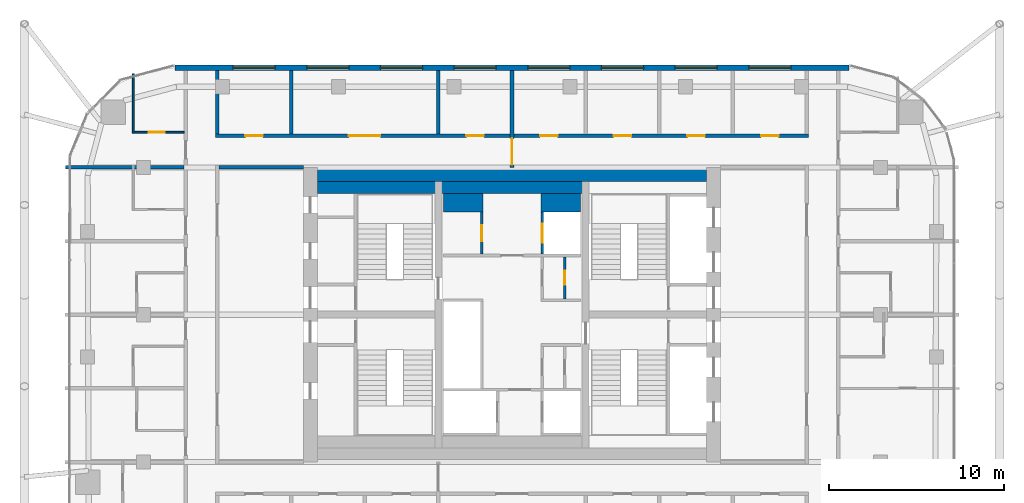
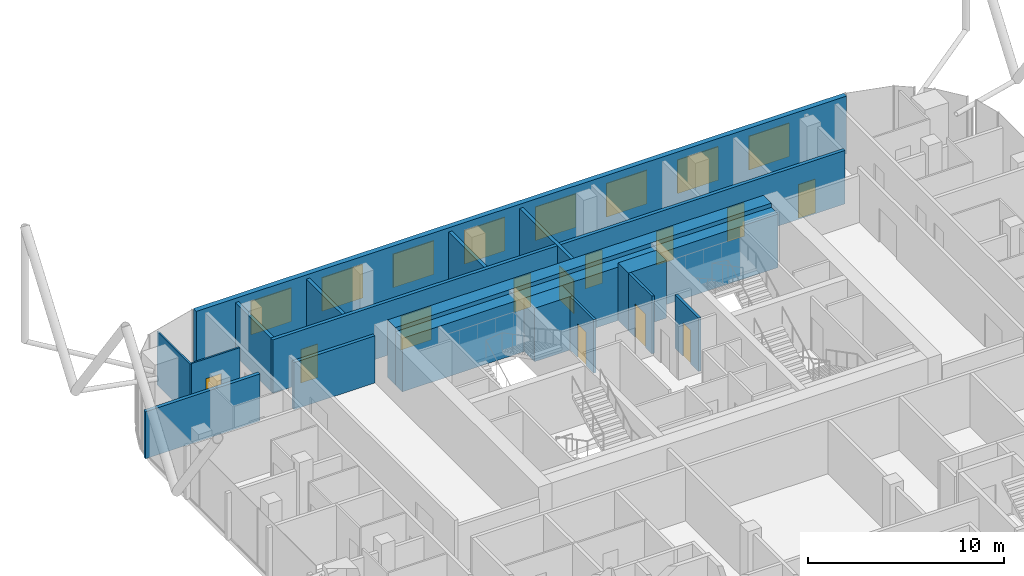
# One storey, part 28 of 31: 17 walls, 12 doors, 8 windows, 20 openings.
"""IFC4 building model written with IfcOpenShell, lengths in metres."""

import ifcopenshell
import ifcopenshell.guid

model = None  # the IFC model being written
_history = None  # IfcOwnerHistory: only IFC2X3 demands one
_inside = {}  # id of a spatial element -> (the spatial element, [elements in it])
_under = {}  # id of a project, library or spatial element -> (it, [spatial elements below it])
_declared = {}  # id of a project -> (the project, [libraries it declares])
_typed = {}  # id of a type object -> (the type object, [elements of that type])
_made_of = {}  # id of a material, layer set ... -> (it, [elements and type objects made of it])


def new_model(schema):
    """Start an empty IFC model of exactly this schema.

    Asked for "IFC4X3", IfcOpenShell would pick the latest addendum, in which some entities
    have other attributes; the version numbers below select the first issue.
    IFC2X3 requires an IfcOwnerHistory on every rooted entity: one is made here for all.
    """
    global model, _history
    if schema == "IFC4X3":
        model = ifcopenshell.file(schema_version=(4, 3, 0, 0))
    else:
        model = ifcopenshell.file(schema=schema)
    _inside.clear()
    _under.clear()
    _declared.clear()
    _typed.clear()
    _made_of.clear()
    _history = None
    if model.schema == "IFC2X3":
        org = make("IfcOrganization", Name="unknown")
        user = make(
            "IfcPersonAndOrganization",
            ThePerson=make("IfcPerson", FamilyName="unknown"),
            TheOrganization=org,
        )
        app = make(
            "IfcApplication",
            ApplicationDeveloper=org,
            Version="unknown",
            ApplicationFullName="unknown",
            ApplicationIdentifier="unknown",
        )
        _history = make(
            "IfcOwnerHistory",
            OwningUser=user,
            OwningApplication=app,
            ChangeAction="ADDED",
            CreationDate=0,
        )
    return model


def make(cls, **values):
    """One entity of the class cls with the attributes given. An attribute that is None is left unset."""
    return model.create_entity(
        cls, **{name: value for name, value in values.items() if value is not None}
    )


def rooted(cls, **values):
    """An entity with a GlobalId (a new one), such as an element, a storey or a relation."""
    return make(cls, GlobalId=ifcopenshell.guid.new(), OwnerHistory=_history, **values)


def si_unit(unit_type, name, prefix=None):
    """IfcSIUnit, for example si_unit("LENGTHUNIT", "METRE", prefix="MILLI")."""
    return make("IfcSIUnit", UnitType=unit_type, Prefix=prefix, Name=name)


def assignment(units):
    """IfcUnitAssignment: the units of a project."""
    return None if units is None else make("IfcUnitAssignment", Units=units)


def point(xyz):
    """IfcCartesianPoint."""
    return None if xyz is None else make("IfcCartesianPoint", Coordinates=xyz)


def direction(xyz):
    """IfcDirection."""
    return None if xyz is None else make("IfcDirection", DirectionRatios=xyz)


def frame(location, z_axis=None, x_axis=None):
    """IfcAxis2Placement3D, a coordinate frame: its origin and axes. An axis left out is left unset."""
    return make(
        "IfcAxis2Placement3D",
        Location=point(location),
        Axis=direction(z_axis),
        RefDirection=direction(x_axis),
    )


def frame_2d(location, x_axis=None):
    """IfcAxis2Placement2D, a coordinate frame in the plane: its origin and x axis."""
    return make(
        "IfcAxis2Placement2D", Location=point(location), RefDirection=direction(x_axis)
    )


def origin():
    """The frame at (0, 0, 0) with its axes left unset."""
    return frame((0.0, 0.0, 0.0))


def place(relative_to, where):
    """IfcLocalPlacement: puts the frame where relative to a parent placement (None: the world)."""
    return make(
        "IfcLocalPlacement", PlacementRelTo=relative_to, RelativePlacement=where
    )


def context(
    kind, dimensions, precision=None, world=None, true_north=None, identifier=None
):
    """IfcGeometricRepresentationContext, for example the 3D "Model" context."""
    return make(
        "IfcGeometricRepresentationContext",
        ContextIdentifier=identifier,
        ContextType=kind,
        CoordinateSpaceDimension=dimensions,
        Precision=precision,
        WorldCoordinateSystem=world,
        TrueNorth=true_north,
    )


def subcontext(parent, identifier, kind, view, scale=None):
    """IfcGeometricRepresentationSubContext, for example "Body" below "Model"."""
    return make(
        "IfcGeometricRepresentationSubContext",
        ContextIdentifier=identifier,
        ContextType=kind,
        ParentContext=parent,
        TargetScale=scale,
        TargetView=view,
    )


def project(units=None, contexts=None):
    """IfcProject with its units and contexts."""
    return rooted(
        "IfcProject",
        Name="project",
        RepresentationContexts=contexts,
        UnitsInContext=assignment(units),
    )


def spatial(cls, under=None, at=None, **own):
    """A site, building, storey or space (cls), placed at a placement, below another one or the project."""
    s = rooted(cls, ObjectPlacement=at, **own)
    if under is not None:
        _under.setdefault(under.id(), (under, []))[1].append(s)
    return s


def profile(cls, at=None, kind="AREA", **sizes):
    """A parametric profile (cls). Its sizes go by their IFC names, for example OverallWidth=200.0."""
    return make(cls, ProfileType=kind, Position=at, **sizes)


def rectangle(**sizes):
    """IfcRectangleProfileDef."""
    return profile("IfcRectangleProfileDef", **sizes)


def extrude(swept, where, along, depth):
    """IfcExtrudedAreaSolid: the profile swept, set in the frame where, extruded along a direction by depth."""
    return make(
        "IfcExtrudedAreaSolid",
        SweptArea=swept,
        Position=where,
        ExtrudedDirection=direction(along),
        Depth=depth,
    )


def shape(context_of_items, identifier, shape_type, items):
    """IfcShapeRepresentation: the items that make up one representation, for example the "Body"."""
    return make(
        "IfcShapeRepresentation",
        ContextOfItems=context_of_items,
        RepresentationIdentifier=identifier,
        RepresentationType=shape_type,
        Items=items,
    )


def material(Name=None, Category=None):
    """IfcMaterial."""
    return make("IfcMaterial", Name=Name, Category=Category)


def layer(
    of_material, thickness, ventilated=None, Name=None, Category=None, Priority=None
):
    """IfcMaterialLayer: one layer of a wall or slab, of a material (None: an air gap)."""
    return make(
        "IfcMaterialLayer",
        Material=of_material,
        LayerThickness=thickness,
        IsVentilated=ventilated,
        Name=Name,
        Category=Category,
        Priority=Priority,
    )


def layer_set(layers, Name=None):
    """IfcMaterialLayerSet."""
    return make("IfcMaterialLayerSet", MaterialLayers=layers, LayerSetName=Name)


def made_of(thing, what):
    """Note that an element or type object is made of a material, layer set ...; save() writes the relation."""
    if what is not None:
        _made_of.setdefault(what.id(), (what, []))[1].append(thing)
    return thing


def type_object(cls, material=None, **own):
    """A type object (cls), such as IfcWallType, which elements share."""
    return made_of(rooted(cls, **own), material)


def element(
    cls,
    number,
    at=None,
    inside=None,
    cuts=None,
    type_object=None,
    material=None,
    context=None,
    identifier="Body",
    shape_type=None,
    held_by="IfcProductDefinitionShape",
    body=None,
    shapes=None,
    **own,
):
    """One element of the class cls, such as IfcWall. Its Tag is "e" and its number.

    at: its placement. inside: the storey or other place that contains it. cuts: it is an
    opening in that element (IfcRelVoidsElement). A single representation is given by context,
    identifier, shape_type and body (its items); several are given by shapes. held_by: the class
    of the entity that holds the representations. save() writes the other relations.
    """
    e = rooted(cls, Tag="e%d" % number, ObjectPlacement=at, **own)
    if body is not None:
        shapes = [shape(context, identifier, shape_type, body)]
    if shapes is not None:
        e.Representation = make(held_by, Representations=shapes)
    if inside is not None:
        _inside.setdefault(inside.id(), (inside, []))[1].append(e)
    if cuts is not None:
        rooted(
            "IfcRelVoidsElement", RelatingBuildingElement=cuts, RelatedOpeningElement=e
        )
    if type_object is not None:
        _typed.setdefault(type_object.id(), (type_object, []))[1].append(e)
    return made_of(e, material)


def fill(opening, filler):
    """IfcRelFillsElement: the door or window that sits in an opening."""
    return rooted(
        "IfcRelFillsElement",
        RelatingOpeningElement=opening,
        RelatedBuildingElement=filler,
    )


def aggregate(whole, parts):
    """IfcRelAggregates: a whole, such as a stair, and the parts it consists of."""
    return rooted("IfcRelAggregates", RelatingObject=whole, RelatedObjects=parts)


def save(model, path):
    """Write the relations noted so far, then the file.

    IfcRelAggregates (storeys below a building ...), IfcRelContainedInSpatialStructure (elements
    in a storey), IfcRelDefinesByType, IfcRelAssociatesMaterial and IfcRelDeclares: one each for
    every whole, place, type object, material and project.
    """
    for whole, parts in _under.values():
        aggregate(whole, parts)
    for where, things in _inside.values():
        rooted(
            "IfcRelContainedInSpatialStructure",
            RelatedElements=things,
            RelatingStructure=where,
        )
    for kind, things in _typed.values():
        rooted("IfcRelDefinesByType", RelatedObjects=things, RelatingType=kind)
    for what, things in _made_of.values():
        rooted("IfcRelAssociatesMaterial", RelatedObjects=things, RelatingMaterial=what)
    for by, libraries in _declared.values():
        rooted("IfcRelDeclares", RelatingContext=by, RelatedDefinitions=libraries)
    model.write(path)


model = new_model("IFC4")

# Units and contexts
model_context = context("Model", 3, precision=1e-05, world=origin(), true_north=direction((0.0, 1.0)))
body_context = subcontext(model_context, "Body", "Model", "MODEL_VIEW")
ifc_project = project(units=[si_unit("LENGTHUNIT", "METRE"), si_unit("AREAUNIT", "SQUARE_METRE"), si_unit("VOLUMEUNIT", "CUBIC_METRE"), si_unit("PLANEANGLEUNIT", "RADIAN"), si_unit("MASSUNIT", "GRAM", prefix="KILO")], contexts=[model_context])

# Site, building, storey
site_placement = place(None, origin())
site = spatial("IfcSite", under=ifc_project, at=site_placement, CompositionType="ELEMENT")
building_placement = place(site_placement, origin())
building = spatial("IfcBuilding", under=site, at=building_placement, Name="Marenta Gate Hotel Tower", CompositionType="ELEMENT")
storey_placement = place(building_placement, frame((0.0, 0.0, 234.5)))
storey = spatial("IfcBuildingStorey", under=building, at=storey_placement, Name="L55", CompositionType="ELEMENT", Elevation=234.5)

# Wall, openings, windows
ifc_material_1 = material(Name="Concrete C40 board-marked", Category="concrete")
ifc_layer_1 = layer(ifc_material_1, 0.300048828125)
ifc_layer_set_1 = layer_set([ifc_layer_1], Name="Concrete C40 board-marked")
wall_type_1 = type_object("IfcWallType", Name="Board-marked concrete wall 300 mm", PredefinedType="NOTDEFINED", material=ifc_layer_set_1)
wall_1_placement = place(storey_placement, frame((19.205810546875, 22.489990234375, 0.0), z_axis=(0.0, 0.0, 1.0), x_axis=(-1.0, 0.0, 0.0)))
wall_1 = element("IfcWall", 1, at=wall_1_placement, inside=storey, type_object=wall_type_1, Name="L55-CLD-N00", PredefinedType="NOTDEFINED", context=body_context, shape_type="SweptSolid", body=[
    extrude(rectangle(XDim=38.41162109375, YDim=0.300048828125, at=frame_2d((19.205810546875, 0.0))), origin(), (0.0, 0.0, 1.0), 3.60009765625),
])
opening_1_placement = place(wall_1_placement, frame((3.305908203125, 0.0, 0.89990234375)))
opening_1 = element("IfcOpeningElement", 2, at=opening_1_placement, cuts=wall_1, Name="Opening W1", PredefinedType="OPENING", context=body_context, shape_type="SweptSolid", body=[
    extrude(rectangle(XDim=2.39990234375, YDim=2.10009765625, at=frame_2d((1.199951171875, 1.050048828125))), frame((0.0, 0.14990234375, 0.0), z_axis=(0.0, -1.0, 0.0), x_axis=(1.0, 0.0, 0.0)), (0.0, 0.0, 1.0), 0.300048828125),
])
opening_2_placement = place(wall_1_placement, frame((7.505859375, 0.0, 0.89990234375)))
opening_2 = element("IfcOpeningElement", 3, at=opening_2_placement, cuts=wall_1, Name="Opening W1", PredefinedType="OPENING", context=body_context, shape_type="SweptSolid", body=[
    extrude(rectangle(XDim=2.39990234375, YDim=2.10009765625, at=frame_2d((1.199951171875, 1.050048828125))), frame((0.0, 0.14990234375, 0.0), z_axis=(0.0, -1.0, 0.0), x_axis=(1.0, 0.0, 0.0)), (0.0, 0.0, 1.0), 0.300048828125),
])
opening_3_placement = place(wall_1_placement, frame((11.705810546875, 0.0, 0.89990234375)))
opening_3 = element("IfcOpeningElement", 4, at=opening_3_placement, cuts=wall_1, Name="Opening W1", PredefinedType="OPENING", context=body_context, shape_type="SweptSolid", body=[
    extrude(rectangle(XDim=2.39990234375, YDim=2.10009765625, at=frame_2d((1.199951171875, 1.050048828125))), frame((0.0, 0.14990234375, 0.0), z_axis=(0.0, -1.0, 0.0), x_axis=(1.0, 0.0, 0.0)), (0.0, 0.0, 1.0), 0.300048828125),
])
opening_4_placement = place(wall_1_placement, frame((15.906005859375, 0.0, 0.89990234375)))
opening_4 = element("IfcOpeningElement", 5, at=opening_4_placement, cuts=wall_1, Name="Opening W1", PredefinedType="OPENING", context=body_context, shape_type="SweptSolid", body=[
    extrude(rectangle(XDim=2.39990234375, YDim=2.10009765625, at=frame_2d((1.199951171875, 1.050048828125))), frame((0.0, 0.14990234375, 0.0), z_axis=(0.0, -1.0, 0.0), x_axis=(1.0, 0.0, 0.0)), (0.0, 0.0, 1.0), 0.300048828125),
])
opening_5_placement = place(wall_1_placement, frame((20.10595703125, 0.0, 0.89990234375)))
opening_5 = element("IfcOpeningElement", 6, at=opening_5_placement, cuts=wall_1, Name="Opening W1", PredefinedType="OPENING", context=body_context, shape_type="SweptSolid", body=[
    extrude(rectangle(XDim=2.39990234375, YDim=2.10009765625, at=frame_2d((1.199951171875, 1.050048828125))), frame((0.0, 0.14990234375, 0.0), z_axis=(0.0, -1.0, 0.0), x_axis=(1.0, 0.0, 0.0)), (0.0, 0.0, 1.0), 0.300048828125),
])
opening_6_placement = place(wall_1_placement, frame((24.305908203125, 0.0, 0.89990234375)))
opening_6 = element("IfcOpeningElement", 7, at=opening_6_placement, cuts=wall_1, Name="Opening W1", PredefinedType="OPENING", context=body_context, shape_type="SweptSolid", body=[
    extrude(rectangle(XDim=2.39990234375, YDim=2.10009765625, at=frame_2d((1.199951171875, 1.050048828125))), frame((0.0, 0.14990234375, 0.0), z_axis=(0.0, -1.0, 0.0), x_axis=(1.0, 0.0, 0.0)), (0.0, 0.0, 1.0), 0.300048828125),
])
opening_7_placement = place(wall_1_placement, frame((28.505859375, 0.0, 0.89990234375)))
opening_7 = element("IfcOpeningElement", 8, at=opening_7_placement, cuts=wall_1, Name="Opening W1", PredefinedType="OPENING", context=body_context, shape_type="SweptSolid", body=[
    extrude(rectangle(XDim=2.39990234375, YDim=2.10009765625, at=frame_2d((1.199951171875, 1.050048828125))), frame((0.0, 0.14990234375, 0.0), z_axis=(0.0, -1.0, 0.0), x_axis=(1.0, 0.0, 0.0)), (0.0, 0.0, 1.0), 0.300048828125),
])
opening_8_placement = place(wall_1_placement, frame((32.705810546875, 0.0, 0.89990234375)))
opening_8 = element("IfcOpeningElement", 9, at=opening_8_placement, cuts=wall_1, Name="Opening W1", PredefinedType="OPENING", context=body_context, shape_type="SweptSolid", body=[
    extrude(rectangle(XDim=2.39990234375, YDim=2.10009765625, at=frame_2d((1.199951171875, 1.050048828125))), frame((0.0, 0.14990234375, 0.0), z_axis=(0.0, -1.0, 0.0), x_axis=(1.0, 0.0, 0.0)), (0.0, 0.0, 1.0), 0.300048828125),
])
ifc_material_2 = material(Name="Tinted insulated glass in bronze anodised frame", Category="glass")
window_type = type_object("IfcWindowType", Name="Window W1 2400x2100 bronze frame", PartitioningType="SINGLE_PANEL", PredefinedType="WINDOW", material=ifc_material_2)
window_1_placement = place(opening_1_placement, origin())
window_1 = element("IfcWindow", 10, at=window_1_placement, inside=storey, type_object=window_type, Name="Window W1", OverallHeight=2.10009765625, OverallWidth=2.39990234375, PartitioningType="SINGLE_PANEL", PredefinedType="WINDOW", context=body_context, shape_type="SweptSolid", body=[
    extrude(rectangle(XDim=2.39990234375, YDim=2.10009765625, at=frame_2d((1.199951171875, 1.050048828125))), frame((0.0, 0.030029296875, 0.0), z_axis=(0.0, -1.0, 0.0), x_axis=(1.0, 0.0, 0.0)), (0.0, 0.0, 1.0), 0.06005859375),
])
fill(opening_1, window_1)
window_2_placement = place(opening_2_placement, origin())
window_2 = element("IfcWindow", 11, at=window_2_placement, inside=storey, type_object=window_type, Name="Window W1", OverallHeight=2.10009765625, OverallWidth=2.39990234375, PartitioningType="SINGLE_PANEL", PredefinedType="WINDOW", context=body_context, shape_type="SweptSolid", body=[
    extrude(rectangle(XDim=2.39990234375, YDim=2.10009765625, at=frame_2d((1.199951171875, 1.050048828125))), frame((0.0, 0.030029296875, 0.0), z_axis=(0.0, -1.0, 0.0), x_axis=(1.0, 0.0, 0.0)), (0.0, 0.0, 1.0), 0.06005859375),
])
fill(opening_2, window_2)
window_3_placement = place(opening_3_placement, origin())
window_3 = element("IfcWindow", 12, at=window_3_placement, inside=storey, type_object=window_type, Name="Window W1", OverallHeight=2.10009765625, OverallWidth=2.39990234375, PartitioningType="SINGLE_PANEL", PredefinedType="WINDOW", context=body_context, shape_type="SweptSolid", body=[
    extrude(rectangle(XDim=2.39990234375, YDim=2.10009765625, at=frame_2d((1.199951171875, 1.050048828125))), frame((0.0, 0.030029296875, 0.0), z_axis=(0.0, -1.0, 0.0), x_axis=(1.0, 0.0, 0.0)), (0.0, 0.0, 1.0), 0.06005859375),
])
fill(opening_3, window_3)
window_4_placement = place(opening_4_placement, origin())
window_4 = element("IfcWindow", 13, at=window_4_placement, inside=storey, type_object=window_type, Name="Window W1", OverallHeight=2.10009765625, OverallWidth=2.39990234375, PartitioningType="SINGLE_PANEL", PredefinedType="WINDOW", context=body_context, shape_type="SweptSolid", body=[
    extrude(rectangle(XDim=2.39990234375, YDim=2.10009765625, at=frame_2d((1.199951171875, 1.050048828125))), frame((0.0, 0.030029296875, 0.0), z_axis=(0.0, -1.0, 0.0), x_axis=(1.0, 0.0, 0.0)), (0.0, 0.0, 1.0), 0.06005859375),
])
fill(opening_4, window_4)
window_5_placement = place(opening_5_placement, origin())
window_5 = element("IfcWindow", 14, at=window_5_placement, inside=storey, type_object=window_type, Name="Window W1", OverallHeight=2.10009765625, OverallWidth=2.39990234375, PartitioningType="SINGLE_PANEL", PredefinedType="WINDOW", context=body_context, shape_type="SweptSolid", body=[
    extrude(rectangle(XDim=2.39990234375, YDim=2.10009765625, at=frame_2d((1.199951171875, 1.050048828125))), frame((0.0, 0.030029296875, 0.0), z_axis=(0.0, -1.0, 0.0), x_axis=(1.0, 0.0, 0.0)), (0.0, 0.0, 1.0), 0.06005859375),
])
fill(opening_5, window_5)
window_6_placement = place(opening_6_placement, origin())
window_6 = element("IfcWindow", 15, at=window_6_placement, inside=storey, type_object=window_type, Name="Window W1", OverallHeight=2.10009765625, OverallWidth=2.39990234375, PartitioningType="SINGLE_PANEL", PredefinedType="WINDOW", context=body_context, shape_type="SweptSolid", body=[
    extrude(rectangle(XDim=2.39990234375, YDim=2.10009765625, at=frame_2d((1.199951171875, 1.050048828125))), frame((0.0, 0.030029296875, 0.0), z_axis=(0.0, -1.0, 0.0), x_axis=(1.0, 0.0, 0.0)), (0.0, 0.0, 1.0), 0.06005859375),
])
fill(opening_6, window_6)
window_7_placement = place(opening_7_placement, origin())
window_7 = element("IfcWindow", 16, at=window_7_placement, inside=storey, type_object=window_type, Name="Window W1", OverallHeight=2.10009765625, OverallWidth=2.39990234375, PartitioningType="SINGLE_PANEL", PredefinedType="WINDOW", context=body_context, shape_type="SweptSolid", body=[
    extrude(rectangle(XDim=2.39990234375, YDim=2.10009765625, at=frame_2d((1.199951171875, 1.050048828125))), frame((0.0, 0.030029296875, 0.0), z_axis=(0.0, -1.0, 0.0), x_axis=(1.0, 0.0, 0.0)), (0.0, 0.0, 1.0), 0.06005859375),
])
fill(opening_7, window_7)
window_8_placement = place(opening_8_placement, origin())
window_8 = element("IfcWindow", 17, at=window_8_placement, inside=storey, type_object=window_type, Name="Window W1", OverallHeight=2.10009765625, OverallWidth=2.39990234375, PartitioningType="SINGLE_PANEL", PredefinedType="WINDOW", context=body_context, shape_type="SweptSolid", body=[
    extrude(rectangle(XDim=2.39990234375, YDim=2.10009765625, at=frame_2d((1.199951171875, 1.050048828125))), frame((0.0, 0.030029296875, 0.0), z_axis=(0.0, -1.0, 0.0), x_axis=(1.0, 0.0, 0.0)), (0.0, 0.0, 1.0), 0.06005859375),
])
fill(opening_8, window_8)

# Wall, opening, door
ifc_material_3 = material(Name="Concrete blockwork", Category="masonry")
ifc_layer_2 = layer(ifc_material_3, 0.199951171875)
ifc_layer_set_2 = layer_set([ifc_layer_2], Name="Concrete blockwork")
wall_type_2 = type_object("IfcWallType", Name="Compartment wall 200 REI 180", PredefinedType="PARTITIONING", material=ifc_layer_set_2)
wall_2_placement = place(storey_placement, frame((0.0, 16.800048828125, 0.0), z_axis=(0.0, 0.0, 1.0), x_axis=(0.0, 1.0, 0.0)))
wall_2 = element("IfcWall", 18, at=wall_2_placement, inside=storey, type_object=wall_type_2, Name="L55-PTN-W073", PredefinedType="PARTITIONING", context=body_context, shape_type="SweptSolid", body=[
    extrude(rectangle(XDim=5.5400390625, YDim=0.199951171875, at=frame_2d((2.77001953125, 0.0))), origin(), (0.0, 0.0, 1.0), 3.340087890625),
])
opening_9_placement = place(wall_2_placement, frame((0.14990234375, 0.0, 0.0)))
opening_9 = element("IfcOpeningElement", 19, at=opening_9_placement, cuts=wall_2, Name="Opening G20-FD1", PredefinedType="OPENING", context=body_context, shape_type="SweptSolid", body=[
    extrude(rectangle(XDim=1.5, YDim=2.10009765625, at=frame_2d((0.75, 1.050048828125))), frame((0.0, 0.10009765625, 0.0), z_axis=(0.0, -1.0, 0.0), x_axis=(1.0, 0.0, 0.0)), (0.0, 0.0, 1.0), 0.199951171875),
])
ifc_material_4 = material(Name="Hollow steel door set", Category="steel")
door_type_1 = type_object("IfcDoorType", Name="Compartment fire door 1500x2100 EI 60", OperationType="DOUBLE_DOOR_DOUBLE_SWING", PredefinedType="DOOR", material=ifc_material_4)
door_1_placement = place(opening_9_placement, origin())
door_1 = element("IfcDoor", 20, at=door_1_placement, inside=storey, type_object=door_type_1, Name="L55-PD-FD01", OperationType="DOUBLE_DOOR_DOUBLE_SWING", OverallHeight=2.10009765625, OverallWidth=1.5, PredefinedType="DOOR", context=body_context, shape_type="SweptSolid", body=[
    extrude(rectangle(XDim=1.5, YDim=2.10009765625, at=frame_2d((0.75, 1.050048828125))), frame((0.0, 0.02490234375, 0.0), z_axis=(0.0, -1.0, 0.0), x_axis=(1.0, 0.0, 0.0)), (0.0, 0.0, 1.0), 0.050048828125),
])
fill(opening_9, door_1)

# Walls
ifc_material_5 = material(Name="Concrete blockwork", Category="masonry")
ifc_layer_3 = layer(ifc_material_5, 0.199951171875)
ifc_layer_set_3 = layer_set([ifc_layer_3], Name="Concrete blockwork")
wall_type_3 = type_object("IfcWallType", Name="Core boundary wall 200 REI 180", PredefinedType="PARTITIONING", material=ifc_layer_set_3)
wall_3_placement = place(storey_placement, frame((-16.699951171875, 16.800048828125, 0.0), z_axis=(0.0, 0.0, 1.0), x_axis=(1.0, 0.0, 0.0)))
element("IfcWall", 21, at=wall_3_placement, inside=storey, type_object=wall_type_3, Name="L55-CP-EW-WN", PredefinedType="PARTITIONING", context=body_context, shape_type="SweptSolid", body=[
    extrude(rectangle(XDim=4.800048828125, YDim=0.199951171875, at=frame_2d((2.39990234375, 0.0))), origin(), (0.0, 0.0, 1.0), 2.93994140625),
])
ifc_material_6 = material(Name="Concrete C40", Category="concrete")
ifc_layer_4 = layer(ifc_material_6, 0.699951171875)
ifc_layer_set_4 = layer_set([ifc_layer_4], Name="Concrete C40")
wall_type_4 = type_object("IfcWallType", Name="Core lining wall 700 REI 180", PredefinedType="PARTITIONING", material=ifc_layer_set_4)
wall_4_placement = place(storey_placement, frame((-11.10009765625, 15.64990234375, 0.0), z_axis=(0.0, 0.0, 1.0), x_axis=(1.0, 0.0, 0.0)))
element("IfcWall", 22, at=wall_4_placement, inside=storey, type_object=wall_type_4, Name="L55-CP-LN-N", PredefinedType="PARTITIONING", context=body_context, shape_type="SweptSolid", body=[
    extrude(rectangle(XDim=22.2001953125, YDim=0.699951171875, at=frame_2d((11.10009765625, 0.0))), origin(), (0.0, 0.0, 1.0), 3.340087890625),
])
ifc_material_7 = material(Name="Concrete blockwork", Category="masonry")
ifc_layer_5 = layer(ifc_material_7, 1.050048828125)
ifc_layer_set_5 = layer_set([ifc_layer_5], Name="Concrete blockwork")
wall_type_5 = type_object("IfcWallType", Name="Core room partition 1050 REI 180", PredefinedType="PARTITIONING", material=ifc_layer_set_5)
wall_5_placement = place(storey_placement, frame((-3.89990234375, 14.77490234375, 0.0), z_axis=(0.0, 0.0, 1.0), x_axis=(1.0, 0.0, 0.0)))
element("IfcWall", 23, at=wall_5_placement, inside=storey, type_object=wall_type_5, Name="L55-CP-CW-W-riser-N", PredefinedType="PARTITIONING", context=body_context, shape_type="SweptSolid", body=[
    extrude(rectangle(XDim=2.25, YDim=1.050048828125, at=frame_2d((1.125, 0.0))), origin(), (0.0, 0.0, 1.0), 3.340087890625),
])

# Wall, opening, door
ifc_material_8 = material(Name="Concrete blockwork", Category="masonry")
ifc_layer_6 = layer(ifc_material_8, 0.14990234375)
ifc_layer_set_6 = layer_set([ifc_layer_6], Name="Concrete blockwork")
wall_type_6 = type_object("IfcWallType", Name="Core room partition 150 REI 180", PredefinedType="PARTITIONING", material=ifc_layer_set_6)
wall_6_placement = place(storey_placement, frame((-1.72509765625, 11.85009765625, 0.0), z_axis=(0.0, 0.0, 1.0), x_axis=(0.0, 1.0, 0.0)))
wall_6 = element("IfcWall", 24, at=wall_6_placement, inside=storey, type_object=wall_type_6, Name="L55-CP-CW-W-riser-front", PredefinedType="PARTITIONING", context=body_context, shape_type="SweptSolid", body=[
    extrude(rectangle(XDim=2.39990234375, YDim=0.14990234375, at=frame_2d((1.199951171875, 0.0))), origin(), (0.0, 0.0, 1.0), 3.340087890625),
])
opening_10_placement = place(wall_6_placement, frame((0.75, 0.0, 0.0)))
opening_10 = element("IfcOpeningElement", 25, at=opening_10_placement, cuts=wall_6, Name="Opening RD-CRISER", PredefinedType="OPENING", context=body_context, shape_type="SweptSolid", body=[
    extrude(rectangle(XDim=0.89990234375, YDim=2.10009765625, at=frame_2d((0.449951171875, 1.050048828125))), frame((0.0, 0.074951171875, 0.0), z_axis=(0.0, -1.0, 0.0), x_axis=(1.0, 0.0, 0.0)), (0.0, 0.0, 1.0), 0.14990234375),
])
ifc_material_9 = material(Name="Steel", Category="steel")
door_type_2 = type_object("IfcDoorType", Name="Core riser door 900x2100 FD60", OperationType="SINGLE_SWING_LEFT", PredefinedType="DOOR", material=ifc_material_9)
door_2_placement = place(opening_10_placement, origin())
door_2 = element("IfcDoor", 26, at=door_2_placement, inside=storey, type_object=door_type_2, Name="RD-CRISER", OperationType="SINGLE_SWING_LEFT", OverallHeight=2.10009765625, OverallWidth=0.89990234375, PredefinedType="DOOR", context=body_context, shape_type="SweptSolid", body=[
    extrude(rectangle(XDim=0.89990234375, YDim=2.10009765625, at=frame_2d((0.449951171875, 1.050048828125))), frame((0.0, 0.02490234375, 0.0), z_axis=(0.0, -1.0, 0.0), x_axis=(1.0, 0.0, 0.0)), (0.0, 0.0, 1.0), 0.050048828125),
])
fill(opening_10, door_2)

wall_7_placement = place(storey_placement, frame((3.0, 9.300048828125, 0.0), z_axis=(0.0, 0.0, 1.0), x_axis=(0.0, 1.0, 0.0)))
wall_7 = element("IfcWall", 27, at=wall_7_placement, inside=storey, type_object=wall_type_6, Name="L55-CP-CE-RW-2", PredefinedType="PARTITIONING", context=body_context, shape_type="SweptSolid", body=[
    extrude(rectangle(XDim=2.39990234375, YDim=0.14990234375, at=frame_2d((1.199951171875, 0.0))), origin(), (0.0, 0.0, 1.0), 3.340087890625),
])
opening_11_placement = place(wall_7_placement, frame((0.800048828125, 0.0, 0.0)))
opening_11 = element("IfcOpeningElement", 28, at=opening_11_placement, cuts=wall_7, Name="Opening RD-CE-2b-A", PredefinedType="OPENING", context=body_context, shape_type="SweptSolid", body=[
    extrude(rectangle(XDim=0.800048828125, YDim=2.10009765625, at=frame_2d((0.39990234375, 1.050048828125))), frame((0.0, 0.074951171875, 0.0), z_axis=(0.0, -1.0, 0.0), x_axis=(1.0, 0.0, 0.0)), (0.0, 0.0, 1.0), 0.14990234375),
])
ifc_material_10 = material(Name="Steel", Category="steel")
door_type_3 = type_object("IfcDoorType", Name="Core riser door 800x2100 FD60", OperationType="SINGLE_SWING_LEFT", PredefinedType="DOOR", material=ifc_material_10)
door_3_placement = place(opening_11_placement, origin())
door_3 = element("IfcDoor", 29, at=door_3_placement, inside=storey, type_object=door_type_3, Name="RD-CE-2b-A", OperationType="SINGLE_SWING_LEFT", OverallHeight=2.10009765625, OverallWidth=0.800048828125, PredefinedType="DOOR", context=body_context, shape_type="SweptSolid", body=[
    extrude(rectangle(XDim=0.800048828125, YDim=2.10009765625, at=frame_2d((0.39990234375, 1.050048828125))), frame((0.0, 0.02490234375, 0.0), z_axis=(0.0, -1.0, 0.0), x_axis=(1.0, 0.0, 0.0)), (0.0, 0.0, 1.0), 0.050048828125),
])
fill(opening_11, door_3)

# Wall
ifc_material_11 = material(Name="Concrete C40", Category="concrete")
ifc_layer_7 = layer(ifc_material_11, 1.050048828125)
ifc_layer_set_7 = layer_set([ifc_layer_7], Name="Concrete C40")
wall_type_7 = type_object("IfcWallType", Name="Core shaft wall 1050 REI 180", PredefinedType="SHEAR", material=ifc_layer_set_7)
wall_8_placement = place(storey_placement, frame((1.64990234375, 14.77490234375, 0.0), z_axis=(0.0, 0.0, 1.0), x_axis=(1.0, 0.0, 0.0)))
element("IfcWall", 30, at=wall_8_placement, inside=storey, type_object=wall_type_7, Name="L55-SHF-CE-N-top", PredefinedType="SHEAR", context=body_context, shape_type="SweptSolid", body=[
    extrude(rectangle(XDim=2.25, YDim=1.050048828125, at=frame_2d((1.125, 0.0))), origin(), (0.0, 0.0, 1.0), 3.60009765625),
])

# Wall, opening, door
ifc_material_12 = material(Name="Concrete C40", Category="concrete")
ifc_layer_8 = layer(ifc_material_12, 0.14990234375)
ifc_layer_set_8 = layer_set([ifc_layer_8], Name="Concrete C40")
wall_type_8 = type_object("IfcWallType", Name="Core shaft wall 150 REI 180", PredefinedType="SHEAR", material=ifc_layer_set_8)
wall_9_placement = place(storey_placement, frame((1.72509765625, 11.85009765625, 0.0), z_axis=(0.0, 0.0, 1.0), x_axis=(0.0, 1.0, 0.0)))
wall_9 = element("IfcWall", 31, at=wall_9_placement, inside=storey, type_object=wall_type_8, Name="L55-SHF-CE-N-front2", PredefinedType="SHEAR", context=body_context, shape_type="SweptSolid", body=[
    extrude(rectangle(XDim=2.39990234375, YDim=0.14990234375, at=frame_2d((1.199951171875, 0.0))), origin(), (0.0, 0.0, 1.0), 3.60009765625),
])
opening_12_placement = place(wall_9_placement, frame((0.64990234375, 0.0, 0.0)))
opening_12 = element("IfcOpeningElement", 32, at=opening_12_placement, cuts=wall_9, Name="Opening LD-FF2", PredefinedType="OPENING", context=body_context, shape_type="SweptSolid", body=[
    extrude(rectangle(XDim=1.10009765625, YDim=2.10009765625, at=frame_2d((0.550048828125, 1.050048828125))), frame((0.0, 0.074951171875, 0.0), z_axis=(0.0, -1.0, 0.0), x_axis=(1.0, 0.0, 0.0)), (0.0, 0.0, 1.0), 0.14990234375),
])
ifc_material_13 = material(Name="Steel", Category="steel")
door_type_4 = type_object("IfcDoorType", Name="Core lift landing door 1100x2100 E 60", OperationType="SLIDING_TO_LEFT", PredefinedType="DOOR", material=ifc_material_13)
door_4_placement = place(opening_12_placement, origin())
door_4 = element("IfcDoor", 33, at=door_4_placement, inside=storey, type_object=door_type_4, Name="LD-FF2", OperationType="SLIDING_TO_LEFT", OverallHeight=2.10009765625, OverallWidth=1.10009765625, PredefinedType="DOOR", context=body_context, shape_type="SweptSolid", body=[
    extrude(rectangle(XDim=1.10009765625, YDim=2.10009765625, at=frame_2d((0.550048828125, 1.050048828125))), frame((0.0, 0.02490234375, 0.0), z_axis=(0.0, -1.0, 0.0), x_axis=(1.0, 0.0, 0.0)), (0.0, 0.0, 1.0), 0.050048828125),
])
fill(opening_12, door_4)

# Walls
ifc_material_14 = material(Name="Concrete C60", Category="concrete")
ifc_layer_9 = layer(ifc_material_14, 0.800048828125)
ifc_layer_set_9 = layer_set([ifc_layer_9], Name="Concrete C60")
wall_type_9 = type_object("IfcWallType", Name="Core wall 800 C60", PredefinedType="SHEAR", material=ifc_layer_set_9)
wall_10_placement = place(storey_placement, frame((-11.10009765625, 16.39990234375, 0.0), z_axis=(0.0, 0.0, 1.0), x_axis=(1.0, 0.0, 0.0)))
element("IfcWall", 34, at=wall_10_placement, inside=storey, type_object=wall_type_9, Name="L55-CORE-N", PredefinedType="SHEAR", context=body_context, shape_type="SweptSolid", body=[
    extrude(rectangle(XDim=22.2001953125, YDim=0.800048828125, at=frame_2d((11.10009765625, 0.0))), origin(), (0.0, 0.0, 1.0), 3.60009765625),
])
ifc_material_15 = material(Name="Gypsum board on steel stud", Category="steel")
ifc_layer_10 = layer(ifc_material_15, 0.199951171875)
ifc_layer_set_10 = layer_set([ifc_layer_10], Name="Gypsum board on steel stud")
wall_type_10 = type_object("IfcWallType", Name="Room corridor wall 200 EI 60", PredefinedType="PARTITIONING", material=ifc_layer_set_10)
wall_11_placement = place(storey_placement, frame((-16.800048828125, 18.699951171875, 0.0), z_axis=(0.0, 0.0, 1.0), x_axis=(0.0, 1.0, 0.0)))
element("IfcWall", 35, at=wall_11_placement, inside=storey, type_object=wall_type_10, Name="L55-PTN-W110", PredefinedType="PARTITIONING", context=body_context, shape_type="SweptSolid", body=[
    extrude(rectangle(XDim=3.64013671875, YDim=0.199951171875, at=frame_2d((1.820068359375, 0.0))), origin(), (0.0, 0.0, 1.0), 3.340087890625),
])

# Wall, openings, doors
wall_12_placement = place(storey_placement, frame((-16.89990234375, 18.60009765625, 0.0), z_axis=(0.0, 0.0, 1.0), x_axis=(1.0, 0.0, 0.0)))
wall_12 = element("IfcWall", 36, at=wall_12_placement, inside=storey, type_object=wall_type_10, Name="L55-PTN-W114", PredefinedType="PARTITIONING", context=body_context, shape_type="SweptSolid", body=[
    extrude(rectangle(XDim=33.7998046875, YDim=0.199951171875, at=frame_2d((16.89990234375, 0.0))), origin(), (0.0, 0.0, 1.0), 3.340087890625),
])
opening_13_placement = place(wall_12_placement, frame((1.699951171875, 0.0, 0.0)))
opening_13 = element("IfcOpeningElement", 37, at=opening_13_placement, cuts=wall_12, Name="Opening G20-35", PredefinedType="OPENING", context=body_context, shape_type="SweptSolid", body=[
    extrude(rectangle(XDim=1.0, YDim=2.10009765625, at=frame_2d((0.5, 1.050048828125))), frame((0.0, 0.10009765625, 0.0), z_axis=(0.0, -1.0, 0.0), x_axis=(1.0, 0.0, 0.0)), (0.0, 0.0, 1.0), 0.199951171875),
])
opening_14_placement = place(wall_12_placement, frame((7.60009765625, 0.0, 0.0)))
opening_14 = element("IfcOpeningElement", 38, at=opening_14_placement, cuts=wall_12, Name="Opening G20-36", PredefinedType="OPENING", context=body_context, shape_type="SweptSolid", body=[
    extrude(rectangle(XDim=1.800048828125, YDim=2.10009765625, at=frame_2d((0.89990234375, 1.050048828125))), frame((0.0, 0.10009765625, 0.0), z_axis=(0.0, -1.0, 0.0), x_axis=(1.0, 0.0, 0.0)), (0.0, 0.0, 1.0), 0.199951171875),
])
opening_15_placement = place(wall_12_placement, frame((31.10009765625, 0.0, 0.0)))
opening_15 = element("IfcOpeningElement", 39, at=opening_15_placement, cuts=wall_12, Name="Opening G20-37", PredefinedType="OPENING", context=body_context, shape_type="SweptSolid", body=[
    extrude(rectangle(XDim=1.0, YDim=2.10009765625, at=frame_2d((0.5, 1.050048828125))), frame((0.0, 0.10009765625, 0.0), z_axis=(0.0, -1.0, 0.0), x_axis=(1.0, 0.0, 0.0)), (0.0, 0.0, 1.0), 0.199951171875),
])
opening_16_placement = place(wall_12_placement, frame((22.699951171875, 0.0, 0.0)))
opening_16 = element("IfcOpeningElement", 40, at=opening_16_placement, cuts=wall_12, Name="Opening G20-74", PredefinedType="OPENING", context=body_context, shape_type="SweptSolid", body=[
    extrude(rectangle(XDim=1.0, YDim=2.10009765625, at=frame_2d((0.5, 1.050048828125))), frame((0.0, 0.10009765625, 0.0), z_axis=(0.0, -1.0, 0.0), x_axis=(1.0, 0.0, 0.0)), (0.0, 0.0, 1.0), 0.199951171875),
])
opening_17_placement = place(wall_12_placement, frame((26.89990234375, 0.0, 0.0)))
opening_17 = element("IfcOpeningElement", 41, at=opening_17_placement, cuts=wall_12, Name="Opening G20-75", PredefinedType="OPENING", context=body_context, shape_type="SweptSolid", body=[
    extrude(rectangle(XDim=1.0, YDim=2.10009765625, at=frame_2d((0.5, 1.050048828125))), frame((0.0, 0.10009765625, 0.0), z_axis=(0.0, -1.0, 0.0), x_axis=(1.0, 0.0, 0.0)), (0.0, 0.0, 1.0), 0.199951171875),
])
opening_18_placement = place(wall_12_placement, frame((14.300048828125, 0.0, 0.0)))
opening_18 = element("IfcOpeningElement", 42, at=opening_18_placement, cuts=wall_12, Name="Opening G20-76", PredefinedType="OPENING", context=body_context, shape_type="SweptSolid", body=[
    extrude(rectangle(XDim=1.0, YDim=2.10009765625, at=frame_2d((0.5, 1.050048828125))), frame((0.0, 0.10009765625, 0.0), z_axis=(0.0, -1.0, 0.0), x_axis=(1.0, 0.0, 0.0)), (0.0, 0.0, 1.0), 0.199951171875),
])
opening_19_placement = place(wall_12_placement, frame((18.5, 0.0, 0.0)))
opening_19 = element("IfcOpeningElement", 43, at=opening_19_placement, cuts=wall_12, Name="Opening G20-77", PredefinedType="OPENING", context=body_context, shape_type="SweptSolid", body=[
    extrude(rectangle(XDim=1.0, YDim=2.10009765625, at=frame_2d((0.5, 1.050048828125))), frame((0.0, 0.10009765625, 0.0), z_axis=(0.0, -1.0, 0.0), x_axis=(1.0, 0.0, 0.0)), (0.0, 0.0, 1.0), 0.199951171875),
])
ifc_material_16 = material(Name="Timber door leaf", Category="wood")
door_type_5 = type_object("IfcDoorType", Name="Room amenity door 1000x2100 EI 30", OperationType="NOTDEFINED", PredefinedType="DOOR", material=ifc_material_16)
door_5_placement = place(opening_13_placement, origin())
door_5 = element("IfcDoor", 44, at=door_5_placement, inside=storey, type_object=door_type_5, Name="L55-PD-D035", OperationType="SINGLE_SWING_LEFT", OverallHeight=2.10009765625, OverallWidth=1.0, PredefinedType="DOOR", context=body_context, shape_type="SweptSolid", body=[
    extrude(rectangle(XDim=1.0, YDim=2.10009765625, at=frame_2d((0.5, 1.050048828125))), frame((0.0, 0.02490234375, 0.0), z_axis=(0.0, -1.0, 0.0), x_axis=(1.0, 0.0, 0.0)), (0.0, 0.0, 1.0), 0.050048828125),
])
fill(opening_13, door_5)
door_6_placement = place(opening_15_placement, origin())
door_6 = element("IfcDoor", 45, at=door_6_placement, inside=storey, type_object=door_type_5, Name="L55-PD-D037", OperationType="SINGLE_SWING_LEFT", OverallHeight=2.10009765625, OverallWidth=1.0, PredefinedType="DOOR", context=body_context, shape_type="SweptSolid", body=[
    extrude(rectangle(XDim=1.0, YDim=2.10009765625, at=frame_2d((0.5, 1.050048828125))), frame((0.0, 0.02490234375, 0.0), z_axis=(0.0, -1.0, 0.0), x_axis=(1.0, 0.0, 0.0)), (0.0, 0.0, 1.0), 0.050048828125),
])
fill(opening_15, door_6)
door_7_placement = place(opening_16_placement, origin())
door_7 = element("IfcDoor", 46, at=door_7_placement, inside=storey, type_object=door_type_5, Name="L55-PD-D074", OperationType="SINGLE_SWING_RIGHT", OverallHeight=2.10009765625, OverallWidth=1.0, PredefinedType="DOOR", context=body_context, shape_type="SweptSolid", body=[
    extrude(rectangle(XDim=1.0, YDim=2.10009765625, at=frame_2d((0.5, 1.050048828125))), frame((0.0, 0.02490234375, 0.0), z_axis=(0.0, -1.0, 0.0), x_axis=(1.0, 0.0, 0.0)), (0.0, 0.0, 1.0), 0.050048828125),
])
fill(opening_16, door_7)
door_8_placement = place(opening_17_placement, origin())
door_8 = element("IfcDoor", 47, at=door_8_placement, inside=storey, type_object=door_type_5, Name="L55-PD-D075", OperationType="SINGLE_SWING_LEFT", OverallHeight=2.10009765625, OverallWidth=1.0, PredefinedType="DOOR", context=body_context, shape_type="SweptSolid", body=[
    extrude(rectangle(XDim=1.0, YDim=2.10009765625, at=frame_2d((0.5, 1.050048828125))), frame((0.0, 0.02490234375, 0.0), z_axis=(0.0, -1.0, 0.0), x_axis=(1.0, 0.0, 0.0)), (0.0, 0.0, 1.0), 0.050048828125),
])
fill(opening_17, door_8)
door_9_placement = place(opening_18_placement, origin())
door_9 = element("IfcDoor", 48, at=door_9_placement, inside=storey, type_object=door_type_5, Name="L55-PD-D076", OperationType="SINGLE_SWING_RIGHT", OverallHeight=2.10009765625, OverallWidth=1.0, PredefinedType="DOOR", context=body_context, shape_type="SweptSolid", body=[
    extrude(rectangle(XDim=1.0, YDim=2.10009765625, at=frame_2d((0.5, 1.050048828125))), frame((0.0, 0.02490234375, 0.0), z_axis=(0.0, -1.0, 0.0), x_axis=(1.0, 0.0, 0.0)), (0.0, 0.0, 1.0), 0.050048828125),
])
fill(opening_18, door_9)
door_10_placement = place(opening_19_placement, origin())
door_10 = element("IfcDoor", 49, at=door_10_placement, inside=storey, type_object=door_type_5, Name="L55-PD-D077", OperationType="SINGLE_SWING_LEFT", OverallHeight=2.10009765625, OverallWidth=1.0, PredefinedType="DOOR", context=body_context, shape_type="SweptSolid", body=[
    extrude(rectangle(XDim=1.0, YDim=2.10009765625, at=frame_2d((0.5, 1.050048828125))), frame((0.0, 0.02490234375, 0.0), z_axis=(0.0, -1.0, 0.0), x_axis=(1.0, 0.0, 0.0)), (0.0, 0.0, 1.0), 0.050048828125),
])
fill(opening_19, door_10)
ifc_material_17 = material(Name="Timber door leaf", Category="wood")
door_type_6 = type_object("IfcDoorType", Name="Room amenity door 1800x2100 EI 30", OperationType="DOUBLE_DOOR_SINGLE_SWING", PredefinedType="DOOR", material=ifc_material_17)
door_11_placement = place(opening_14_placement, origin())
door_11 = element("IfcDoor", 50, at=door_11_placement, inside=storey, type_object=door_type_6, Name="L55-PD-D036", OperationType="DOUBLE_DOOR_SINGLE_SWING", OverallHeight=2.10009765625, OverallWidth=1.800048828125, PredefinedType="DOOR", context=body_context, shape_type="SweptSolid", body=[
    extrude(rectangle(XDim=1.800048828125, YDim=2.10009765625, at=frame_2d((0.89990234375, 1.050048828125))), frame((0.0, 0.02490234375, 0.0), z_axis=(0.0, -1.0, 0.0), x_axis=(1.0, 0.0, 0.0)), (0.0, 0.0, 1.0), 0.050048828125),
])
fill(opening_14, door_11)

# Wall, opening, door
ifc_material_18 = material(Name="Gypsum board on steel stud", Category="steel")
ifc_layer_11 = layer(ifc_material_18, 0.10009765625)
ifc_layer_set_11 = layer_set([ifc_layer_11], Name="Gypsum board on steel stud")
wall_type_11 = type_object("IfcWallType", Name="Room partition 100", PredefinedType="PARTITIONING", material=ifc_layer_set_11)
wall_13_placement = place(storey_placement, frame((-21.550048828125, 18.800048828125, 0.0), z_axis=(0.0, 0.0, 1.0), x_axis=(1.0, 0.0, 0.0)))
wall_13 = element("IfcWall", 51, at=wall_13_placement, inside=storey, type_object=wall_type_11, Name="L55-PTN-W115", PredefinedType="PARTITIONING", context=body_context, shape_type="SweptSolid", body=[
    extrude(rectangle(XDim=2.85009765625, YDim=0.10009765625, at=frame_2d((1.425048828125, 0.0))), origin(), (0.0, 0.0, 1.0), 3.340087890625),
])
opening_20_placement = place(wall_13_placement, frame((0.85009765625, 0.0, 0.0)))
opening_20 = element("IfcOpeningElement", 52, at=opening_20_placement, cuts=wall_13, Name="Opening G20-71", PredefinedType="OPENING", context=body_context, shape_type="SweptSolid", body=[
    extrude(rectangle(XDim=0.89990234375, YDim=2.10009765625, at=frame_2d((0.449951171875, 1.050048828125))), frame((0.0, 0.050048828125, 0.0), z_axis=(0.0, -1.0, 0.0), x_axis=(1.0, 0.0, 0.0)), (0.0, 0.0, 1.0), 0.10009765625),
])
ifc_material_19 = material(Name="Timber door leaf", Category="wood")
door_type_7 = type_object("IfcDoorType", Name="Guest bathroom door 900x2100", OperationType="NOTDEFINED", PredefinedType="DOOR", material=ifc_material_19)
door_12_placement = place(opening_20_placement, origin())
door_12 = element("IfcDoor", 53, at=door_12_placement, inside=storey, type_object=door_type_7, Name="L55-PD-D071", OperationType="SINGLE_SWING_LEFT", OverallHeight=2.10009765625, OverallWidth=0.89990234375, PredefinedType="DOOR", context=body_context, shape_type="SweptSolid", body=[
    extrude(rectangle(XDim=0.89990234375, YDim=2.10009765625, at=frame_2d((0.449951171875, 1.050048828125))), frame((0.0, 0.02490234375, 0.0), z_axis=(0.0, -1.0, 0.0), x_axis=(1.0, 0.0, 0.0)), (0.0, 0.0, 1.0), 0.050048828125),
])
fill(opening_20, door_12)

# Walls
wall_14_placement = place(storey_placement, frame((-21.60009765625, 18.75, 0.0), z_axis=(0.0, 0.0, 1.0), x_axis=(0.0, 1.0, 0.0)))
element("IfcWall", 54, at=wall_14_placement, inside=storey, type_object=wall_type_11, Name="L55-PTN-W122", PredefinedType="PARTITIONING", context=body_context, shape_type="SweptSolid", body=[
    extrude(rectangle(XDim=3.39501953125, YDim=0.10009765625, at=frame_2d((1.697509765625, 0.0))), origin(), (0.0, 0.0, 1.0), 3.340087890625),
])
ifc_material_20 = material(Name="Gypsum board on steel stud", Category="steel")
ifc_layer_12 = layer(ifc_material_20, 0.199951171875)
ifc_layer_set_12 = layer_set([ifc_layer_12], Name="Gypsum board on steel stud")
wall_type_12 = type_object("IfcWallType", Name="Room party wall 200 EI 60", PredefinedType="PARTITIONING", material=ifc_layer_set_12)
for number, where, z_axis, x_axis, name in (
    (55, (-4.199951171875, 18.699951171875, 0.0), (0.0, 0.0, 1.0), (0.0, 1.0, 0.0), "L55-PTN-W081"),
    (56, (-12.60009765625, 18.699951171875, 0.0), (0.0, 0.0, 1.0), (0.0, 1.0, 0.0), "L55-PTN-W100"),
):
    element("IfcWall", number, at=place(storey_placement, frame(where, z_axis=z_axis, x_axis=x_axis)), inside=storey, type_object=wall_type_12, Name=name, PredefinedType="PARTITIONING", context=body_context, shape_type="SweptSolid", body=[
        extrude(rectangle(XDim=3.64013671875, YDim=0.199951171875, at=frame_2d((1.820068359375, 0.0))), origin(), (0.0, 0.0, 1.0), 3.340087890625),
    ])
wall_15_placement = place(storey_placement, frame((-25.447021484375, 16.800048828125, 0.0), z_axis=(0.0, 0.0, 1.0), x_axis=(1.0, 0.0, 0.0)))
element("IfcWall", 57, at=wall_15_placement, inside=storey, type_object=wall_type_12, Name="L55-PTN-W111", PredefinedType="PARTITIONING", context=body_context, shape_type="SweptSolid", body=[
    extrude(rectangle(XDim=6.7470703125, YDim=0.199951171875, at=frame_2d((3.37353515625, 0.0))), origin(), (0.0, 0.0, 1.0), 2.93994140625),
])

save(model, "model.ifc")
